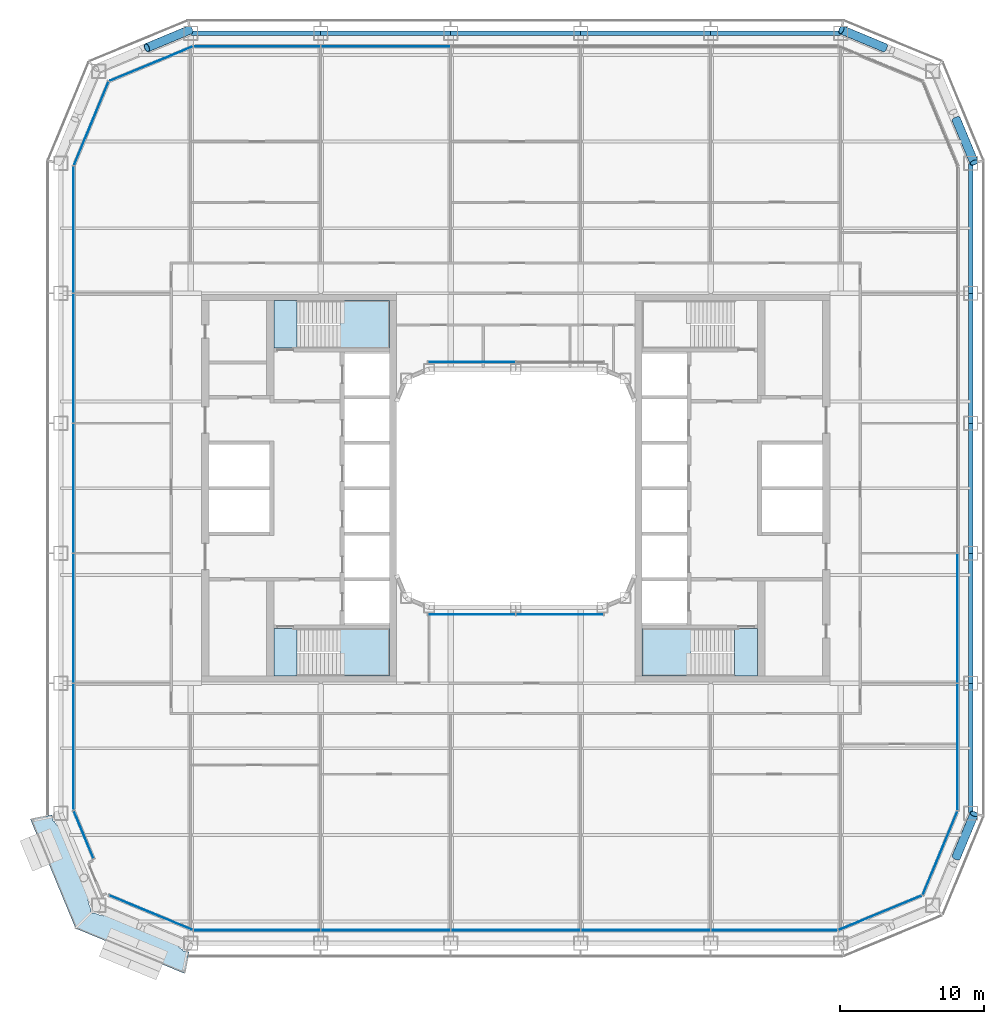
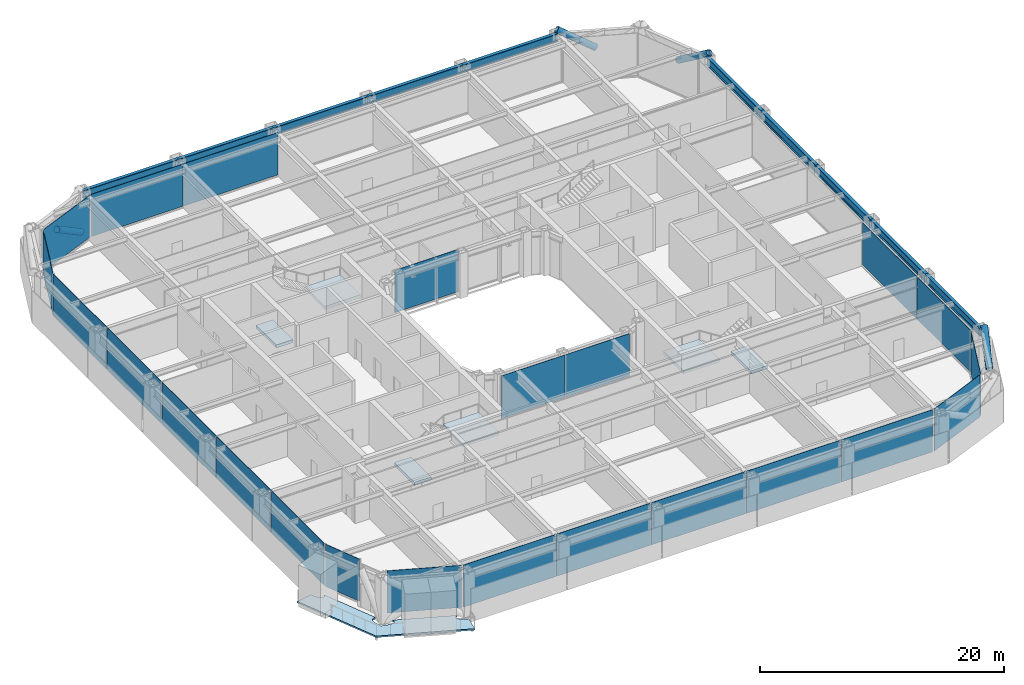
# One storey, part 11 of 27: 23 plates, 10 beams, 7 slabs, 4 members, 15 elements without a shape of their own.
"""IFC4 building model written with IfcOpenShell, lengths in metres."""

from ifc_helpers import new_model, si_unit, direction, frame, origin, origin_2d, place, context, subcontext, project, spatial, polyline, rectangle, hollow_circle, i_section, outline, extrude, material, layer, layer_set, material_profile, profile_set, type_object, element, aggregate, save


model = new_model("IFC4")

# Units and contexts
model_context = context("Model", 3, precision=1e-05, world=origin(), true_north=direction((0.0, 1.0)))
body_context = subcontext(model_context, "Body", "Model", "MODEL_VIEW")
ifc_project = project(units=[si_unit("LENGTHUNIT", "METRE"), si_unit("AREAUNIT", "SQUARE_METRE"), si_unit("VOLUMEUNIT", "CUBIC_METRE"), si_unit("PLANEANGLEUNIT", "RADIAN"), si_unit("MASSUNIT", "GRAM", prefix="KILO")], contexts=[model_context])

# Site, building, storey
site_placement = place(None, origin())
site = spatial("IfcSite", under=ifc_project, at=site_placement, CompositionType="ELEMENT")
building_placement = place(site_placement, origin())
building = spatial("IfcBuilding", under=site, at=building_placement, Name="Siwar Civic Tower", CompositionType="ELEMENT")
storey_placement = place(building_placement, frame((0.0, 0.0, 53.699951171875)))
storey = spatial("IfcBuildingStorey", under=building, at=storey_placement, Name="L11", CompositionType="ELEMENT", Elevation=53.699951171875)

# Members
ifc_material_1 = material(Name="Steel S355", Category="steel")
ifc_material_profile_1 = material_profile(ifc_material_1, hollow_circle(Radius=0.304931640625, WallThickness=0.030029296875, at=origin_2d()), Name="CHS610x30")
ifc_profile_set_1 = profile_set([ifc_material_profile_1], Name="Steel S355")
member_type = type_object("IfcMemberType", Name="STR-BR-CHS610x30", PredefinedType="BRACE", material=ifc_profile_set_1)
for number, where, z_axis, x_axis, name in (
    (1, (30.500244140625, -25.537353515625, 2.428466796875), (0.3238932121, 0.777559680196, 0.53897507446), (-0.923114847559, 0.384524353215, 0.0), "L11/brc/ASE1-10-0-3"),
    (2, (25.537353515625, 30.500244140625, 2.428466796875), (-0.777559680196, 0.3238932121, 0.53897507446), (-0.384524353215, -0.923114847559, 0.0), "L11/brc/ANE1-10-0-3"),
    (3, (30.500244140625, 25.537353515625, 2.428466796875), (0.3238932121, -0.777559680196, 0.53897507446), (0.923114847559, 0.384524353215, 0.0), "L11/brc/ANE1-10-0-5"),
    (4, (-22.548828125, 31.7451171875, 0.0), (-0.777533059308, -0.323882123145, 0.539020140617), (0.384524353215, -0.923114847559, 0.0), "L11/brc/ANW1-10-0-4"),
):
    element("IfcMember", number, at=place(storey_placement, frame(where, z_axis=z_axis, x_axis=x_axis)), inside=storey, type_object=member_type, Name=name, PredefinedType="BRACE", context=body_context, shape_type="SweptSolid", body=[
        extrude(hollow_circle(Radius=0.304931640625, WallThickness=0.030029296875, at=origin_2d()), origin(), (0.0, 0.0, 1.0), 3.843505859375),
    ])

# Beams
ifc_material_2 = material(Name="Steel S355", Category="steel")
ifc_material_profile_2 = material_profile(ifc_material_2, i_section(OverallWidth=0.302978515625, OverallDepth=0.81396484375, WebThickness=0.02099609375, FlangeThickness=0.0400390625, FilletRadius=0.030029296875, at=origin_2d()), Name="HEM800")
ifc_profile_set_2 = profile_set([ifc_material_profile_2], Name="Steel S355")
beam_type = type_object("IfcBeamType", Name="STR-SB-HEM800", PredefinedType="BEAM", material=ifc_profile_set_2)
for number, where, z_axis, x_axis, name in (
    (5, (31.5, -22.5, 3.943115234375), (0.0, 1.0, 0.0), (-1.0, 0.0, 0.0), "L11/bm/SE-0"),
    (6, (31.5, -13.5, 3.943115234375), (0.0, 1.0, 0.0), (-1.0, 0.0, 0.0), "L11/bm/SE-1"),
    (7, (31.5, -4.5, 3.943115234375), (0.0, 1.0, 0.0), (-1.0, 0.0, 0.0), "L11/bm/SE-2"),
    (8, (31.5, 4.5, 3.943115234375), (0.0, 1.0, 0.0), (-1.0, 0.0, 0.0), "L11/bm/SE-3"),
    (9, (31.5, 13.5, 3.943115234375), (0.0, 1.0, 0.0), (-1.0, 0.0, 0.0), "L11/bm/SE-4"),
    (10, (22.5, 31.5, 3.943115234375), (-1.0, 0.0, 0.0), (0.0, -1.0, 0.0), "L11/bm/SN-0"),
    (11, (13.5, 31.5, 3.943115234375), (-1.0, 0.0, 0.0), (0.0, -1.0, 0.0), "L11/bm/SN-1"),
    (12, (4.5, 31.5, 3.943115234375), (-1.0, 0.0, 0.0), (0.0, -1.0, 0.0), "L11/bm/SN-2"),
    (13, (-4.5, 31.5, 3.943115234375), (-1.0, 0.0, 0.0), (0.0, -1.0, 0.0), "L11/bm/SN-3"),
    (14, (-13.5, 31.5, 3.943115234375), (-1.0, 0.0, 0.0), (0.0, -1.0, 0.0), "L11/bm/SN-4"),
):
    element("IfcBeam", number, at=place(storey_placement, frame(where, z_axis=z_axis, x_axis=x_axis)), inside=storey, type_object=beam_type, Name=name, PredefinedType="BEAM", context=body_context, shape_type="SweptSolid", body=[
        extrude(i_section(OverallWidth=0.302978515625, OverallDepth=0.81396484375, WebThickness=0.02099609375, FlangeThickness=0.0400390625, FilletRadius=0.030029296875, at=origin_2d()), origin(), (0.0, 0.0, 1.0), 9.0),
    ])

# Stair, slabs
ifc_material_3 = material(Name="Concrete C40/50", Category="concrete")
stair_type = type_object("IfcStairType", Name="CORE-STAIR", PredefinedType="TWO_STRAIGHT_RUN_STAIR", material=ifc_material_3)
stair_1_placement = place(storey_placement, origin())
stair_1 = element("IfcStair", 15, at=stair_1_placement, inside=storey, type_object=stair_type, Name="Exit stair ST1", PredefinedType="TWO_STRAIGHT_RUN_STAIR")
ifc_material_4 = material(Name="Concrete C40/50", Category="concrete")
ifc_layer_1 = layer(ifc_material_4, 0.300048828125)
ifc_layer_set_1 = layer_set([ifc_layer_1], Name="Concrete C40/50")
slab_type_1 = type_object("IfcSlabType", Name="CORE-STAIR-LANDING", PredefinedType="LANDING", material=ifc_layer_set_1)
slab_1_placement = place(storey_placement, frame((0.0, 0.0, -0.300048828125)))
slab_1 = element("IfcSlab", 16, at=slab_1_placement, type_object=slab_type_1, Name="ST1 landing 1", PredefinedType="LANDING", context=body_context, shape_type="SweptSolid", body=[
    extrude(outline(polyline([(-15.14990234375, 13.0), (-16.75, 13.0), (-16.75, 9.699951171875), (-15.14990234375, 9.699951171875), (-15.14990234375, 13.0)])), origin(), (0.0, 0.0, 1.0), 0.300048828125),
])
slab_2_placement = place(storey_placement, frame((0.0, 0.0, 1.949951171875)))
slab_2 = element("IfcSlab", 17, at=slab_2_placement, type_object=slab_type_1, Name="ST1 landing 2", PredefinedType="LANDING", context=body_context, shape_type="SweptSolid", body=[
    extrude(outline(polyline([(-8.75, 13.0), (-12.139892578125, 13.0), (-12.139892578125, 9.699951171875), (-8.75, 9.699951171875), (-8.75, 13.0)])), origin(), (0.0, 0.0, 1.0), 0.300048828125),
])
aggregate(stair_1, [slab_1, slab_2])

stair_2_placement = place(storey_placement, origin())
stair_2 = element("IfcStair", 18, at=stair_2_placement, inside=storey, type_object=stair_type, Name="Exit stair ST2", PredefinedType="TWO_STRAIGHT_RUN_STAIR")
slab_3_placement = place(storey_placement, frame((0.0, 0.0, -0.300048828125)))
slab_3 = element("IfcSlab", 19, at=slab_3_placement, type_object=slab_type_1, Name="ST2 landing 1", PredefinedType="LANDING", context=body_context, shape_type="SweptSolid", body=[
    extrude(outline(polyline([(-15.14990234375, -9.699951171875), (-16.75, -9.699951171875), (-16.75, -13.0), (-15.14990234375, -13.0), (-15.14990234375, -9.699951171875)])), origin(), (0.0, 0.0, 1.0), 0.300048828125),
])
slab_4_placement = place(storey_placement, frame((0.0, 0.0, 1.949951171875)))
slab_4 = element("IfcSlab", 20, at=slab_4_placement, type_object=slab_type_1, Name="ST2 landing 2", PredefinedType="LANDING", context=body_context, shape_type="SweptSolid", body=[
    extrude(outline(polyline([(-8.75, -9.699951171875), (-12.139892578125, -9.699951171875), (-12.139892578125, -13.0), (-8.75, -13.0), (-8.75, -9.699951171875)])), origin(), (0.0, 0.0, 1.0), 0.300048828125),
])
aggregate(stair_2, [slab_3, slab_4])

stair_3_placement = place(storey_placement, origin())
stair_3 = element("IfcStair", 21, at=stair_3_placement, inside=storey, type_object=stair_type, Name="Exit stair ST4", PredefinedType="TWO_STRAIGHT_RUN_STAIR")
slab_5_placement = place(storey_placement, frame((0.0, 0.0, -0.300048828125)))
slab_5 = element("IfcSlab", 22, at=slab_5_placement, type_object=slab_type_1, Name="ST4 landing 1", PredefinedType="LANDING", context=body_context, shape_type="SweptSolid", body=[
    extrude(outline(polyline([(15.14990234375, -13.0), (16.75, -13.0), (16.75, -9.699951171875), (15.14990234375, -9.699951171875), (15.14990234375, -13.0)])), origin(), (0.0, 0.0, 1.0), 0.300048828125),
])
slab_6_placement = place(storey_placement, frame((0.0, 0.0, 1.949951171875)))
slab_6 = element("IfcSlab", 23, at=slab_6_placement, type_object=slab_type_1, Name="ST4 landing 2", PredefinedType="LANDING", context=body_context, shape_type="SweptSolid", body=[
    extrude(outline(polyline([(8.75, -13.0), (12.139892578125, -13.0), (12.139892578125, -9.699951171875), (8.75, -9.699951171875), (8.75, -13.0)])), origin(), (0.0, 0.0, 1.0), 0.300048828125),
])
aggregate(stair_3, [slab_5, slab_6])

# Slab
ifc_material_5 = material(Name="Concrete C40/50", Category="concrete")
ifc_layer_2 = layer(ifc_material_5, 0.14990234375)
ifc_layer_set_2 = layer_set([ifc_layer_2], Name="Concrete C40/50")
slab_type_2 = type_object("IfcSlabType", Name="ENV-BALCONY DECK 150", PredefinedType="FLOOR", material=ifc_layer_set_2)
slab_7_placement = place(storey_placement, frame((0.0, 0.0, -0.1494140625)))
element("IfcSlab", 24, at=slab_7_placement, inside=storey, type_object=slab_type_2, Name="Tree balcony deck SW", PredefinedType="FLOOR", context=body_context, shape_type="SweptSolid", body=[
    extrude(outline(polyline([(-22.749267578125, -32.0732421875), (-22.7587890625, -32.0693359375), (-22.80517578125, -32.050048828125), (-23.050048828125, -32.050048828125), (-23.050048828125, -31.94580078125), (-23.06591796875, -31.9384765625), (-23.07080078125, -31.93603515625), (-23.134033203125, -31.9013671875), (-23.138671875, -31.898681640625), (-23.198974609375, -31.859619140625), (-23.205322265625, -31.85498046875), (-23.255126953125, -31.815185546875), (-23.25927734375, -31.8115234375), (-23.30615234375, -31.76806640625), (-23.309814453125, -31.764404296875), (-23.353515625, -31.717529296875), (-23.360107421875, -31.709716796875), (-23.392578125, -31.66357421875), (-23.3955078125, -31.659423828125), (-23.4248046875, -31.611083984375), (-23.427978515625, -31.60546875), (-23.4306640625, -31.599609375), (-23.448974609375, -31.55322265625), (-23.451416015625, -31.5458984375), (-23.453125, -31.5380859375), (-23.46044921875, -31.494140625), (-23.461181640625, -31.488037109375), (-23.461669921875, -31.481689453125), (-23.46142578125, -31.4755859375), (-23.4580078125, -31.4345703125), (-23.45703125, -31.427734375), (-23.45556640625, -31.4208984375), (-23.453369140625, -31.414306640625), (-23.439453125, -31.376953125), (-23.437255859375, -31.3720703125), (-23.420654296875, -31.3359375), (-23.41748046875, -31.329833984375), (-23.413818359375, -31.323974609375), (-23.40966796875, -31.318603515625), (-23.3828125, -31.287353515625), (-23.378662109375, -31.28271484375), (-23.3740234375, -31.278564453125), (-23.369140625, -31.274658203125), (-23.332763671875, -31.2490234375), (-23.325927734375, -31.244873046875), (-23.31884765625, -31.2412109375), (-23.273193359375, -31.2216796875), (-23.26708984375, -31.21923828125), (-23.260986328125, -31.217529296875), (-23.210693359375, -31.20556640625), (-28.182861328125, -29.14599609375), (-28.16552734375, -29.17431640625), (-28.16259765625, -29.179931640625), (-28.159912109375, -29.185791015625), (-28.1416015625, -29.232177734375), (-28.13916015625, -29.23974609375), (-28.137451171875, -29.247314453125), (-28.1298828125, -29.29150390625), (-28.129150390625, -29.297607421875), (-28.12890625, -29.3037109375), (-28.129150390625, -29.31005859375), (-28.132568359375, -29.35107421875), (-28.133544921875, -29.35791015625), (-28.135009765625, -29.364501953125), (-28.13720703125, -29.37109375), (-28.151123046875, -29.408447265625), (-28.1533203125, -29.413330078125), (-28.169921875, -29.449462890625), (-28.173095703125, -29.45556640625), (-28.1767578125, -29.46142578125), (-28.180908203125, -29.467041015625), (-28.20751953125, -29.498291015625), (-28.2119140625, -29.502685546875), (-28.216552734375, -29.507080078125), (-28.221435546875, -29.5107421875), (-28.2578125, -29.53662109375), (-28.264404296875, -29.540771484375), (-28.271484375, -29.544189453125), (-28.3173828125, -29.56396484375), (-28.3232421875, -29.566162109375), (-28.32958984375, -29.56787109375), (-28.38427734375, -29.5810546875), (-28.389404296875, -29.58203125), (-28.445068359375, -29.59130859375), (-28.45068359375, -29.592041015625), (-28.506591796875, -29.59716796875), (-28.51318359375, -29.597412109375), (-28.51953125, -29.59716796875), (-28.59130859375, -29.59130859375), (-28.59375, -29.591064453125), (-28.6572265625, -29.583984375), (-28.66455078125, -29.58251953125), (-28.73486328125, -29.567138671875), (-28.739990234375, -29.56591796875), (-28.80908203125, -29.545654296875), (-28.814208984375, -29.5439453125), (-28.881591796875, -29.5185546875), (-28.884033203125, -29.517578125), (-28.891845703125, -29.514404296875), (-28.9462890625, -29.49169921875), (-28.977294921875, -29.478759765625), (-29.10546875, -29.425537109375), (-29.116943359375, -29.420654296875), (-29.133056640625, -29.4140625), (-29.4140625, -29.4140625), (-29.4140625, -29.133056640625), (-29.478759765625, -28.977294921875), (-29.49169921875, -28.9462890625), (-29.514404296875, -28.891845703125), (-29.517578125, -28.884033203125), (-29.5185546875, -28.881591796875), (-29.5439453125, -28.814208984375), (-29.545654296875, -28.80908203125), (-29.56591796875, -28.739990234375), (-29.567138671875, -28.73486328125), (-29.58251953125, -28.66455078125), (-29.583984375, -28.6572265625), (-29.591064453125, -28.59375), (-29.59130859375, -28.59130859375), (-29.59716796875, -28.51953125), (-29.597412109375, -28.51318359375), (-29.59716796875, -28.506591796875), (-29.592041015625, -28.45068359375), (-29.59130859375, -28.445068359375), (-29.58203125, -28.389404296875), (-29.5810546875, -28.38427734375), (-29.56787109375, -28.32958984375), (-29.566162109375, -28.3232421875), (-29.56396484375, -28.3173828125), (-29.544189453125, -28.271484375), (-29.540771484375, -28.264404296875), (-29.53662109375, -28.2578125), (-29.5107421875, -28.221435546875), (-29.507080078125, -28.216552734375), (-29.502685546875, -28.2119140625), (-29.498291015625, -28.20751953125), (-29.467041015625, -28.180908203125), (-29.46142578125, -28.1767578125), (-29.45556640625, -28.173095703125), (-29.449462890625, -28.169921875), (-29.413330078125, -28.1533203125), (-29.408447265625, -28.151123046875), (-29.37109375, -28.13720703125), (-29.364501953125, -28.135009765625), (-29.35791015625, -28.133544921875), (-29.35107421875, -28.132568359375), (-29.31005859375, -28.129150390625), (-29.3037109375, -28.12890625), (-29.297607421875, -28.129150390625), (-29.29150390625, -28.1298828125), (-29.247314453125, -28.137451171875), (-29.23974609375, -28.13916015625), (-29.232177734375, -28.1416015625), (-29.185791015625, -28.159912109375), (-29.179931640625, -28.16259765625), (-29.17431640625, -28.16552734375), (-29.14599609375, -28.182861328125), (-31.20556640625, -23.210693359375), (-31.217529296875, -23.260986328125), (-31.21923828125, -23.26708984375), (-31.2216796875, -23.273193359375), (-31.2412109375, -23.31884765625), (-31.244873046875, -23.325927734375), (-31.2490234375, -23.332763671875), (-31.274658203125, -23.369140625), (-31.278564453125, -23.3740234375), (-31.28271484375, -23.378662109375), (-31.287353515625, -23.3828125), (-31.318603515625, -23.40966796875), (-31.323974609375, -23.413818359375), (-31.329833984375, -23.41748046875), (-31.3359375, -23.420654296875), (-31.3720703125, -23.437255859375), (-31.376953125, -23.439453125), (-31.414306640625, -23.453369140625), (-31.4208984375, -23.45556640625), (-31.427734375, -23.45703125), (-31.4345703125, -23.4580078125), (-31.4755859375, -23.46142578125), (-31.481689453125, -23.461669921875), (-31.488037109375, -23.461181640625), (-31.494140625, -23.46044921875), (-31.5380859375, -23.453125), (-31.5458984375, -23.451416015625), (-31.55322265625, -23.448974609375), (-31.599609375, -23.4306640625), (-31.60546875, -23.427978515625), (-31.611083984375, -23.4248046875), (-31.659423828125, -23.3955078125), (-31.66357421875, -23.392578125), (-31.709716796875, -23.360107421875), (-31.717529296875, -23.353515625), (-31.764404296875, -23.309814453125), (-31.76806640625, -23.30615234375), (-31.8115234375, -23.25927734375), (-31.815185546875, -23.255126953125), (-31.85498046875, -23.205322265625), (-31.859619140625, -23.198974609375), (-31.898681640625, -23.138671875), (-31.9013671875, -23.134033203125), (-31.93603515625, -23.07080078125), (-31.9384765625, -23.06591796875), (-31.94580078125, -23.050048828125), (-32.050048828125, -23.050048828125), (-32.050048828125, -22.80517578125), (-32.0927734375, -22.70263671875), (-32.095947265625, -22.69482421875), (-32.095947265625, -22.69482421875), (-32.098388671875, -22.688232421875), (-32.1064453125, -22.662109375), (-32.108154296875, -22.6552734375), (-32.109375, -22.648193359375), (-32.1123046875, -22.621826171875), (-33.60009765625, -22.917724609375), (-30.47119140625, -30.47119140625), (-22.917724609375, -33.60009765625), (-22.62109375, -32.1083984375), (-22.6259765625, -32.1083984375), (-22.6484375, -32.107421875), (-22.649658203125, -32.107421875), (-22.6513671875, -32.107421875), (-22.655029296875, -32.10693359375), (-22.656982421875, -32.106689453125), (-22.65771484375, -32.1064453125), (-22.658447265625, -32.1064453125), (-22.66552734375, -32.104736328125), (-22.686279296875, -32.098876953125), (-22.69482421875, -32.095947265625), (-22.70263671875, -32.0927734375), (-22.719970703125, -32.085693359375), (-22.72607421875, -32.0830078125), (-22.749267578125, -32.0732421875)])), origin(), (0.0, 0.0, 1.0), 0.1494140625),
])

# Curtain wall, plates
ifc_material_6 = material(Name="Aluminium and glass", Category="aluminium")
ifc_layer_3 = layer(ifc_material_6, 0.219970703125)
ifc_layer_set_3 = layer_set([ifc_layer_3], Name="Aluminium and glass")
curtain_wall_type_1 = type_object("IfcCurtainWallType", Name="ENV-CW-A", PredefinedType="NOTDEFINED", material=ifc_layer_set_3)
curtain_wall_1_placement = place(storey_placement, origin())
curtain_wall_1 = element("IfcCurtainWall", 25, at=curtain_wall_1_placement, inside=storey, type_object=curtain_wall_type_1, Name="Curtain wall A S", PredefinedType="NOTDEFINED")
ifc_material_7 = material(Name="Glass clear laminated", Category="glass")
ifc_layer_4 = layer(ifc_material_7, 0.035888671875)
ifc_layer_set_4 = layer_set([ifc_layer_4], Name="Glass clear laminated")
plate_type_1 = type_object("IfcPlateType", Name="ENV-PANEL-A", PredefinedType="CURTAIN_PANEL", material=ifc_layer_set_4)
plate_1_placement = place(storey_placement, frame((-17.910400390625, -30.60009765625, 0.1201171875), z_axis=(0.0, 0.0, 1.0), x_axis=(1.0, 0.0, 0.0)))
plate_1 = element("IfcPlate", 26, at=plate_1_placement, type_object=plate_type_1, Name="Curtain panel A S 1", PredefinedType="CURTAIN_PANEL", context=body_context, shape_type="SweptSolid", body=[
    extrude(rectangle(XDim=8.7509765625, YDim=0.035888671875, at=origin_2d()), origin(), (0.0, 0.0, 1.0), 4.22998046875),
])
plate_2_placement = place(storey_placement, frame((-9.0, -30.60009765625, 0.1201171875), z_axis=(0.0, 0.0, 1.0), x_axis=(1.0, 0.0, 0.0)))
plate_2 = element("IfcPlate", 27, at=plate_2_placement, type_object=plate_type_1, Name="Curtain panel A S 2", PredefinedType="CURTAIN_PANEL", context=body_context, shape_type="SweptSolid", body=[
    extrude(rectangle(XDim=8.929931640625, YDim=0.035888671875, at=origin_2d()), origin(), (0.0, 0.0, 1.0), 4.22998046875),
])
plate_3_placement = place(storey_placement, frame((0.0, -30.60009765625, 0.1201171875), z_axis=(0.0, 0.0, 1.0), x_axis=(1.0, 0.0, 0.0)))
plate_3 = element("IfcPlate", 28, at=plate_3_placement, type_object=plate_type_1, Name="Curtain panel A S 3", PredefinedType="CURTAIN_PANEL", context=body_context, shape_type="SweptSolid", body=[
    extrude(rectangle(XDim=8.929931640625, YDim=0.035888671875, at=origin_2d()), origin(), (0.0, 0.0, 1.0), 4.22998046875),
])
plate_4_placement = place(storey_placement, frame((9.0, -30.60009765625, 0.1201171875), z_axis=(0.0, 0.0, 1.0), x_axis=(1.0, 0.0, 0.0)))
plate_4 = element("IfcPlate", 29, at=plate_4_placement, type_object=plate_type_1, Name="Curtain panel A S 4", PredefinedType="CURTAIN_PANEL", context=body_context, shape_type="SweptSolid", body=[
    extrude(rectangle(XDim=8.929931640625, YDim=0.035888671875, at=origin_2d()), origin(), (0.0, 0.0, 1.0), 4.22998046875),
])
plate_5_placement = place(storey_placement, frame((17.86669921875, -30.60009765625, 0.1201171875), z_axis=(0.0, 0.0, 1.0), x_axis=(1.0, 0.0, 0.0)))
plate_5 = element("IfcPlate", 30, at=plate_5_placement, type_object=plate_type_1, Name="Curtain panel A S 5", PredefinedType="CURTAIN_PANEL", context=body_context, shape_type="SweptSolid", body=[
    extrude(rectangle(XDim=8.663330078125, YDim=0.035888671875, at=origin_2d()), origin(), (0.0, 0.0, 1.0), 4.22998046875),
])
aggregate(curtain_wall_1, [plate_1, plate_2, plate_3, plate_4, plate_5])

curtain_wall_2_placement = place(storey_placement, origin())
curtain_wall_2 = element("IfcCurtainWall", 31, at=curtain_wall_2_placement, inside=storey, type_object=curtain_wall_type_1, Name="Curtain wall A E", PredefinedType="NOTDEFINED")
plate_6_placement = place(storey_placement, frame((30.60009765625, -17.910400390625, 0.1201171875), z_axis=(0.0, 0.0, 1.0), x_axis=(0.0, 1.0, 0.0)))
plate_6 = element("IfcPlate", 32, at=plate_6_placement, type_object=plate_type_1, Name="Curtain panel A E 1", PredefinedType="CURTAIN_PANEL", context=body_context, shape_type="SweptSolid", body=[
    extrude(rectangle(XDim=8.7509765625, YDim=0.035888671875, at=origin_2d()), origin(), (0.0, 0.0, 1.0), 4.22998046875),
])
plate_7_placement = place(storey_placement, frame((30.60009765625, -9.0, 0.1201171875), z_axis=(0.0, 0.0, 1.0), x_axis=(0.0, 1.0, 0.0)))
plate_7 = element("IfcPlate", 33, at=plate_7_placement, type_object=plate_type_1, Name="Curtain panel A E 2", PredefinedType="CURTAIN_PANEL", context=body_context, shape_type="SweptSolid", body=[
    extrude(rectangle(XDim=8.929931640625, YDim=0.035888671875, at=origin_2d()), origin(), (0.0, 0.0, 1.0), 4.22998046875),
])
aggregate(curtain_wall_2, [plate_6, plate_7])

curtain_wall_3_placement = place(storey_placement, origin())
curtain_wall_3 = element("IfcCurtainWall", 34, at=curtain_wall_3_placement, inside=storey, type_object=curtain_wall_type_1, Name="Curtain wall A N", PredefinedType="NOTDEFINED")
plate_8_placement = place(storey_placement, frame((-9.0, 30.60009765625, 0.1201171875), z_axis=(0.0, 0.0, 1.0), x_axis=(-1.0, 0.0, 0.0)))
plate_8 = element("IfcPlate", 35, at=plate_8_placement, type_object=plate_type_1, Name="Curtain panel A N 4", PredefinedType="CURTAIN_PANEL", context=body_context, shape_type="SweptSolid", body=[
    extrude(rectangle(XDim=8.929931640625, YDim=0.035888671875, at=origin_2d()), origin(), (0.0, 0.0, 1.0), 4.22998046875),
])
plate_9_placement = place(storey_placement, frame((-17.86669921875, 30.60009765625, 0.1201171875), z_axis=(0.0, 0.0, 1.0), x_axis=(-1.0, 0.0, 0.0)))
plate_9 = element("IfcPlate", 36, at=plate_9_placement, type_object=plate_type_1, Name="Curtain panel A N 5", PredefinedType="CURTAIN_PANEL", context=body_context, shape_type="SweptSolid", body=[
    extrude(rectangle(XDim=8.663330078125, YDim=0.035888671875, at=origin_2d()), origin(), (0.0, 0.0, 1.0), 4.22998046875),
])
aggregate(curtain_wall_3, [plate_8, plate_9])

curtain_wall_4_placement = place(storey_placement, origin())
curtain_wall_4 = element("IfcCurtainWall", 37, at=curtain_wall_4_placement, inside=storey, type_object=curtain_wall_type_1, Name="Curtain wall A W", PredefinedType="NOTDEFINED")
plate_10_placement = place(storey_placement, frame((-30.60009765625, 17.910400390625, 0.1201171875), z_axis=(0.0, 0.0, 1.0), x_axis=(0.0, -1.0, 0.0)))
plate_10 = element("IfcPlate", 38, at=plate_10_placement, type_object=plate_type_1, Name="Curtain panel A W 1", PredefinedType="CURTAIN_PANEL", context=body_context, shape_type="SweptSolid", body=[
    extrude(rectangle(XDim=8.7509765625, YDim=0.035888671875, at=origin_2d()), origin(), (0.0, 0.0, 1.0), 4.22998046875),
])
plate_11_placement = place(storey_placement, frame((-30.60009765625, 9.0, 0.1201171875), z_axis=(0.0, 0.0, 1.0), x_axis=(0.0, -1.0, 0.0)))
plate_11 = element("IfcPlate", 39, at=plate_11_placement, type_object=plate_type_1, Name="Curtain panel A W 2", PredefinedType="CURTAIN_PANEL", context=body_context, shape_type="SweptSolid", body=[
    extrude(rectangle(XDim=8.929931640625, YDim=0.035888671875, at=origin_2d()), origin(), (0.0, 0.0, 1.0), 4.22998046875),
])
plate_12_placement = place(storey_placement, frame((-30.60009765625, 0.0, 0.1201171875), z_axis=(0.0, 0.0, 1.0), x_axis=(0.0, -1.0, 0.0)))
plate_12 = element("IfcPlate", 40, at=plate_12_placement, type_object=plate_type_1, Name="Curtain panel A W 3", PredefinedType="CURTAIN_PANEL", context=body_context, shape_type="SweptSolid", body=[
    extrude(rectangle(XDim=8.929931640625, YDim=0.035888671875, at=origin_2d()), origin(), (0.0, 0.0, 1.0), 4.22998046875),
])
plate_13_placement = place(storey_placement, frame((-30.60009765625, -9.0, 0.1201171875), z_axis=(0.0, 0.0, 1.0), x_axis=(0.0, -1.0, 0.0)))
plate_13 = element("IfcPlate", 41, at=plate_13_placement, type_object=plate_type_1, Name="Curtain panel A W 4", PredefinedType="CURTAIN_PANEL", context=body_context, shape_type="SweptSolid", body=[
    extrude(rectangle(XDim=8.929931640625, YDim=0.035888671875, at=origin_2d()), origin(), (0.0, 0.0, 1.0), 4.22998046875),
])
plate_14_placement = place(storey_placement, frame((-30.60009765625, -17.86669921875, 0.1201171875), z_axis=(0.0, 0.0, 1.0), x_axis=(0.0, -1.0, 0.0)))
plate_14 = element("IfcPlate", 42, at=plate_14_placement, type_object=plate_type_1, Name="Curtain panel A W 5", PredefinedType="CURTAIN_PANEL", context=body_context, shape_type="SweptSolid", body=[
    extrude(rectangle(XDim=8.663330078125, YDim=0.035888671875, at=origin_2d()), origin(), (0.0, 0.0, 1.0), 4.22998046875),
])
aggregate(curtain_wall_4, [plate_10, plate_11, plate_12, plate_13, plate_14])

# Curtain wall, plate
ifc_material_8 = material(Name="Aluminium clad insulated panel", Category="aluminium")
ifc_layer_5 = layer(ifc_material_8, 0.219970703125)
ifc_layer_set_5 = layer_set([ifc_layer_5], Name="Aluminium clad insulated panel")
curtain_wall_type_2 = type_object("IfcCurtainWallType", Name="ENV-CW-AX", PredefinedType="NOTDEFINED", material=ifc_layer_set_5)
curtain_wall_5_placement = place(storey_placement, origin())
curtain_wall_5 = element("IfcCurtainWall", 43, at=curtain_wall_5_placement, inside=storey, type_object=curtain_wall_type_2, Name="Curtain wall A SE1", PredefinedType="NOTDEFINED")
ifc_material_9 = material(Name="Aluminium clad insulated panel", Category="aluminium")
ifc_layer_6 = layer(ifc_material_9, 0.035888671875)
ifc_layer_set_6 = layer_set([ifc_layer_6], Name="Aluminium clad insulated panel")
plate_type_2 = type_object("IfcPlateType", Name="ENV-PANEL-AX", PredefinedType="CURTAIN_PANEL", material=ifc_layer_set_6)
plate_15_placement = place(storey_placement, frame((25.20751953125, -29.404296875, 0.1201171875), z_axis=(0.0, 0.0, 1.0), x_axis=(0.923879532511, 0.382683432365, 0.0)))
plate_15 = element("IfcPlate", 44, at=plate_15_placement, type_object=plate_type_2, Name="Curtain panel A SE1 1", PredefinedType="CURTAIN_PANEL", context=body_context, shape_type="SweptSolid", body=[
    extrude(rectangle(XDim=6.178955078125, YDim=0.035888671875, at=origin_2d()), origin(), (0.0, 0.0, 1.0), 4.22998046875),
])
aggregate(curtain_wall_5, [plate_15])

curtain_wall_6_placement = place(storey_placement, origin())
curtain_wall_6 = element("IfcCurtainWall", 45, at=curtain_wall_6_placement, inside=storey, type_object=curtain_wall_type_2, Name="Curtain wall A SE2", PredefinedType="NOTDEFINED")
plate_16_placement = place(storey_placement, frame((29.370849609375, -25.28857421875, 0.1201171875), z_axis=(0.0, 0.0, 1.0), x_axis=(0.382683432365, 0.923879532511, 0.0)))
plate_16 = element("IfcPlate", 46, at=plate_16_placement, type_object=plate_type_2, Name="Curtain panel A SE2 1", PredefinedType="CURTAIN_PANEL", context=body_context, shape_type="SweptSolid", body=[
    extrude(rectangle(XDim=6.178955078125, YDim=0.035888671875, at=origin_2d()), origin(), (0.0, 0.0, 1.0), 4.22998046875),
])
aggregate(curtain_wall_6, [plate_16])

curtain_wall_7_placement = place(storey_placement, origin())
curtain_wall_7 = element("IfcCurtainWall", 47, at=curtain_wall_7_placement, inside=storey, type_object=curtain_wall_type_2, Name="Curtain wall A NW1", PredefinedType="NOTDEFINED")
plate_17_placement = place(storey_placement, frame((-25.20751953125, 29.404296875, 0.1201171875), z_axis=(0.0, 0.0, 1.0), x_axis=(-0.923879532511, -0.382683432365, 0.0)))
plate_17 = element("IfcPlate", 48, at=plate_17_placement, type_object=plate_type_2, Name="Curtain panel A NW1 1", PredefinedType="CURTAIN_PANEL", context=body_context, shape_type="SweptSolid", body=[
    extrude(rectangle(XDim=6.178955078125, YDim=0.035888671875, at=origin_2d()), origin(), (0.0, 0.0, 1.0), 4.22998046875),
])
aggregate(curtain_wall_7, [plate_17])

curtain_wall_8_placement = place(storey_placement, origin())
curtain_wall_8 = element("IfcCurtainWall", 49, at=curtain_wall_8_placement, inside=storey, type_object=curtain_wall_type_2, Name="Curtain wall A NW2", PredefinedType="NOTDEFINED")
plate_18_placement = place(storey_placement, frame((-29.370849609375, 25.28857421875, 0.1201171875), z_axis=(0.0, 0.0, 1.0), x_axis=(-0.382683432365, -0.923879532511, 0.0)))
plate_18 = element("IfcPlate", 50, at=plate_18_placement, type_object=plate_type_2, Name="Curtain panel A NW2 1", PredefinedType="CURTAIN_PANEL", context=body_context, shape_type="SweptSolid", body=[
    extrude(rectangle(XDim=6.178955078125, YDim=0.035888671875, at=origin_2d()), origin(), (0.0, 0.0, 1.0), 4.22998046875),
])
aggregate(curtain_wall_8, [plate_18])

curtain_wall_9_placement = place(storey_placement, origin())
curtain_wall_9 = element("IfcCurtainWall", 51, at=curtain_wall_9_placement, inside=storey, type_object=curtain_wall_type_2, Name="Curtain wall A SW1", PredefinedType="NOTDEFINED")
plate_19_placement = place(storey_placement, frame((-29.90966796875, -23.9873046875, 0.1201171875), z_axis=(0.0, 0.0, 1.0), x_axis=(0.382683432365, -0.923879532511, 0.0)))
plate_19 = element("IfcPlate", 52, at=plate_19_placement, type_object=plate_type_2, Name="Curtain panel A SW1 1", PredefinedType="CURTAIN_PANEL", context=body_context, shape_type="SweptSolid", body=[
    extrude(rectangle(XDim=3.537353515625, YDim=0.035888671875, at=origin_2d()), origin(), (0.0, 0.0, 1.0), 4.22998046875),
])
aggregate(curtain_wall_9, [plate_19])

curtain_wall_10_placement = place(storey_placement, origin())
curtain_wall_10 = element("IfcCurtainWall", 53, at=curtain_wall_10_placement, inside=storey, type_object=curtain_wall_type_2, Name="Curtain wall A SW2", PredefinedType="NOTDEFINED")
plate_20_placement = place(storey_placement, frame((-25.28857421875, -29.370849609375, 0.1201171875), z_axis=(0.0, 0.0, 1.0), x_axis=(0.923879532511, -0.382683432365, 0.0)))
plate_20 = element("IfcPlate", 54, at=plate_20_placement, type_object=plate_type_2, Name="Curtain panel A SW2 1", PredefinedType="CURTAIN_PANEL", context=body_context, shape_type="SweptSolid", body=[
    extrude(rectangle(XDim=6.178955078125, YDim=0.035888671875, at=origin_2d()), origin(), (0.0, 0.0, 1.0), 4.22998046875),
])
aggregate(curtain_wall_10, [plate_20])

# Curtain wall, plates
ifc_material_10 = material(Name="Aluminium and glass", Category="aluminium")
ifc_layer_7 = layer(ifc_material_10, 0.179931640625)
ifc_layer_set_7 = layer_set([ifc_layer_7], Name="Aluminium and glass")
curtain_wall_type_3 = type_object("IfcCurtainWallType", Name="ENV-CW-W", PredefinedType="NOTDEFINED", material=ifc_layer_set_7)
curtain_wall_11_placement = place(storey_placement, origin())
curtain_wall_11 = element("IfcCurtainWall", 55, at=curtain_wall_11_placement, inside=storey, type_object=curtain_wall_type_3, Name="Curtain wall W WS", PredefinedType="NOTDEFINED")
ifc_material_11 = material(Name="Glass clear laminated", Category="glass")
ifc_layer_8 = layer(ifc_material_11, 0.031982421875)
ifc_layer_set_8 = layer_set([ifc_layer_8], Name="Glass clear laminated")
plate_type_3 = type_object("IfcPlateType", Name="ENV-PANEL-W", PredefinedType="CURTAIN_PANEL", material=ifc_layer_set_8)
plate_21_placement = place(storey_placement, frame((-3.04833984375, -8.735107421875, 0.10009765625), z_axis=(0.0, 0.0, 1.0), x_axis=(1.0, 0.0, 0.0)))
plate_21 = element("IfcPlate", 56, at=plate_21_placement, type_object=plate_type_3, Name="Curtain panel W WS 1", PredefinedType="CURTAIN_PANEL", context=body_context, shape_type="SweptSolid", body=[
    extrude(rectangle(XDim=6.036376953125, YDim=0.031982421875, at=origin_2d()), origin(), (0.0, 0.0, 1.0), 4.25),
])
plate_22_placement = place(storey_placement, frame((3.04833984375, -8.735107421875, 0.10009765625), z_axis=(0.0, 0.0, 1.0), x_axis=(1.0, 0.0, 0.0)))
plate_22 = element("IfcPlate", 57, at=plate_22_placement, type_object=plate_type_3, Name="Curtain panel W WS 2", PredefinedType="CURTAIN_PANEL", context=body_context, shape_type="SweptSolid", body=[
    extrude(rectangle(XDim=6.036376953125, YDim=0.031982421875, at=origin_2d()), origin(), (0.0, 0.0, 1.0), 4.25),
])
aggregate(curtain_wall_11, [plate_21, plate_22])

# Curtain wall, plate
curtain_wall_12_placement = place(storey_placement, origin())
curtain_wall_12 = element("IfcCurtainWall", 58, at=curtain_wall_12_placement, inside=storey, type_object=curtain_wall_type_3, Name="Curtain wall W WN", PredefinedType="NOTDEFINED")
plate_23_placement = place(storey_placement, frame((-3.04833984375, 8.735107421875, 0.10009765625), z_axis=(0.0, 0.0, 1.0), x_axis=(-1.0, 0.0, 0.0)))
plate_23 = element("IfcPlate", 59, at=plate_23_placement, type_object=plate_type_3, Name="Curtain panel W WN 2", PredefinedType="CURTAIN_PANEL", context=body_context, shape_type="SweptSolid", body=[
    extrude(rectangle(XDim=6.036376953125, YDim=0.031982421875, at=origin_2d()), origin(), (0.0, 0.0, 1.0), 4.25),
])
aggregate(curtain_wall_12, [plate_23])

save(model, "model.ifc")
